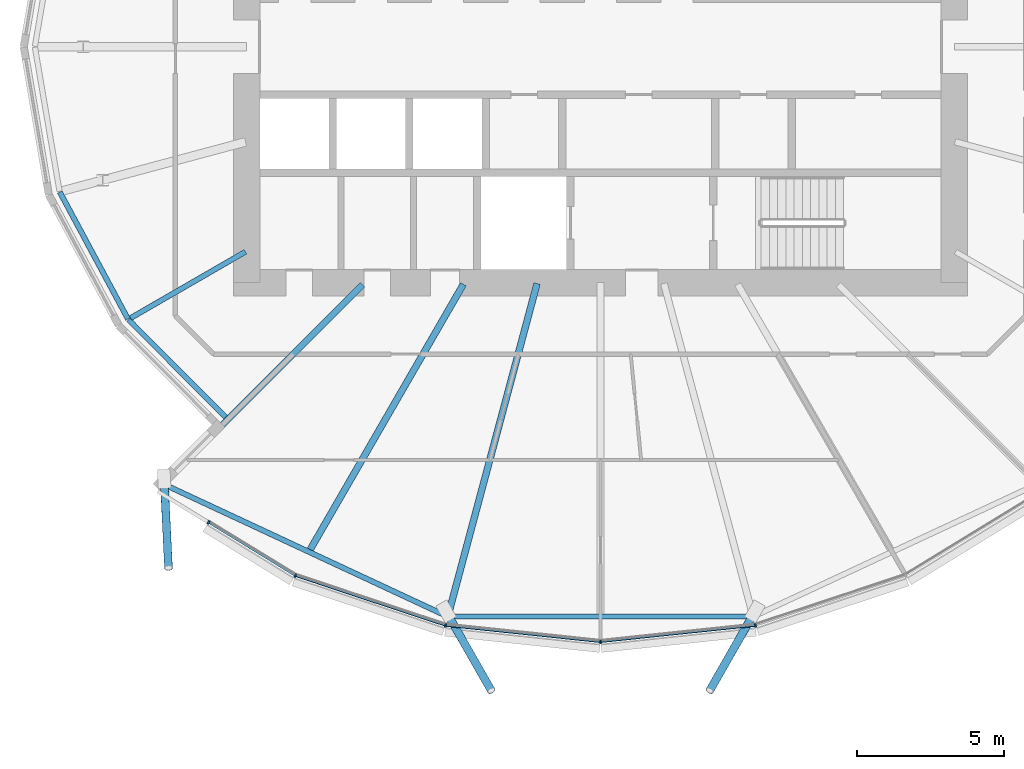
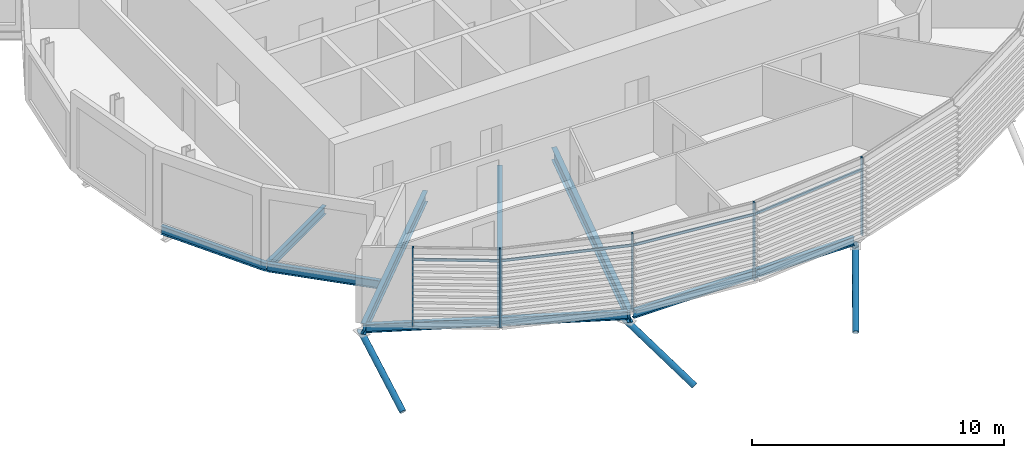
# One storey, part 3 of 38: 12 members, 8 beams, 1 element without a shape of its own.
"""IFC4 building model written with IfcOpenShell, lengths in metres."""

import ifcopenshell
import ifcopenshell.guid

model = None  # the IFC model being written
_history = None  # IfcOwnerHistory: only IFC2X3 demands one
_inside = {}  # id of a spatial element -> (the spatial element, [elements in it])
_under = {}  # id of a project, library or spatial element -> (it, [spatial elements below it])
_declared = {}  # id of a project -> (the project, [libraries it declares])
_typed = {}  # id of a type object -> (the type object, [elements of that type])
_made_of = {}  # id of a material, layer set ... -> (it, [elements and type objects made of it])


def new_model(schema):
    """Start an empty IFC model of exactly this schema.

    Asked for "IFC4X3", IfcOpenShell would pick the latest addendum, in which some entities
    have other attributes; the version numbers below select the first issue.
    IFC2X3 requires an IfcOwnerHistory on every rooted entity: one is made here for all.
    """
    global model, _history
    if schema == "IFC4X3":
        model = ifcopenshell.file(schema_version=(4, 3, 0, 0))
    else:
        model = ifcopenshell.file(schema=schema)
    _inside.clear()
    _under.clear()
    _declared.clear()
    _typed.clear()
    _made_of.clear()
    _history = None
    if model.schema == "IFC2X3":
        org = make("IfcOrganization", Name="unknown")
        user = make(
            "IfcPersonAndOrganization",
            ThePerson=make("IfcPerson", FamilyName="unknown"),
            TheOrganization=org,
        )
        app = make(
            "IfcApplication",
            ApplicationDeveloper=org,
            Version="unknown",
            ApplicationFullName="unknown",
            ApplicationIdentifier="unknown",
        )
        _history = make(
            "IfcOwnerHistory",
            OwningUser=user,
            OwningApplication=app,
            ChangeAction="ADDED",
            CreationDate=0,
        )
    return model


def make(cls, **values):
    """One entity of the class cls with the attributes given. An attribute that is None is left unset."""
    return model.create_entity(
        cls, **{name: value for name, value in values.items() if value is not None}
    )


def rooted(cls, **values):
    """An entity with a GlobalId (a new one), such as an element, a storey or a relation."""
    return make(cls, GlobalId=ifcopenshell.guid.new(), OwnerHistory=_history, **values)


def si_unit(unit_type, name, prefix=None):
    """IfcSIUnit, for example si_unit("LENGTHUNIT", "METRE", prefix="MILLI")."""
    return make("IfcSIUnit", UnitType=unit_type, Prefix=prefix, Name=name)


def assignment(units):
    """IfcUnitAssignment: the units of a project."""
    return None if units is None else make("IfcUnitAssignment", Units=units)


def point(xyz):
    """IfcCartesianPoint."""
    return None if xyz is None else make("IfcCartesianPoint", Coordinates=xyz)


def direction(xyz):
    """IfcDirection."""
    return None if xyz is None else make("IfcDirection", DirectionRatios=xyz)


def frame(location, z_axis=None, x_axis=None):
    """IfcAxis2Placement3D, a coordinate frame: its origin and axes. An axis left out is left unset."""
    return make(
        "IfcAxis2Placement3D",
        Location=point(location),
        Axis=direction(z_axis),
        RefDirection=direction(x_axis),
    )


def frame_2d(location, x_axis=None):
    """IfcAxis2Placement2D, a coordinate frame in the plane: its origin and x axis."""
    return make(
        "IfcAxis2Placement2D", Location=point(location), RefDirection=direction(x_axis)
    )


def origin():
    """The frame at (0, 0, 0) with its axes left unset."""
    return frame((0.0, 0.0, 0.0))


def origin_2d():
    """The frame at (0, 0) in the plane with its x axis left unset."""
    return frame_2d((0.0, 0.0))


def place(relative_to, where):
    """IfcLocalPlacement: puts the frame where relative to a parent placement (None: the world)."""
    return make(
        "IfcLocalPlacement", PlacementRelTo=relative_to, RelativePlacement=where
    )


def context(
    kind, dimensions, precision=None, world=None, true_north=None, identifier=None
):
    """IfcGeometricRepresentationContext, for example the 3D "Model" context."""
    return make(
        "IfcGeometricRepresentationContext",
        ContextIdentifier=identifier,
        ContextType=kind,
        CoordinateSpaceDimension=dimensions,
        Precision=precision,
        WorldCoordinateSystem=world,
        TrueNorth=true_north,
    )


def subcontext(parent, identifier, kind, view, scale=None):
    """IfcGeometricRepresentationSubContext, for example "Body" below "Model"."""
    return make(
        "IfcGeometricRepresentationSubContext",
        ContextIdentifier=identifier,
        ContextType=kind,
        ParentContext=parent,
        TargetScale=scale,
        TargetView=view,
    )


def project(units=None, contexts=None):
    """IfcProject with its units and contexts."""
    return rooted(
        "IfcProject",
        Name="project",
        RepresentationContexts=contexts,
        UnitsInContext=assignment(units),
    )


def spatial(cls, under=None, at=None, **own):
    """A site, building, storey or space (cls), placed at a placement, below another one or the project."""
    s = rooted(cls, ObjectPlacement=at, **own)
    if under is not None:
        _under.setdefault(under.id(), (under, []))[1].append(s)
    return s


def profile(cls, at=None, kind="AREA", **sizes):
    """A parametric profile (cls). Its sizes go by their IFC names, for example OverallWidth=200.0."""
    return make(cls, ProfileType=kind, Position=at, **sizes)


def rectangle(**sizes):
    """IfcRectangleProfileDef."""
    return profile("IfcRectangleProfileDef", **sizes)


def hollow_circle(**sizes):
    """IfcCircleHollowProfileDef."""
    return profile("IfcCircleHollowProfileDef", **sizes)


def i_section(**sizes):
    """IfcIShapeProfileDef."""
    return profile("IfcIShapeProfileDef", **sizes)


def extrude(swept, where, along, depth):
    """IfcExtrudedAreaSolid: the profile swept, set in the frame where, extruded along a direction by depth."""
    return make(
        "IfcExtrudedAreaSolid",
        SweptArea=swept,
        Position=where,
        ExtrudedDirection=direction(along),
        Depth=depth,
    )


def clip(a, b, op="DIFFERENCE"):
    """IfcBooleanClippingResult: the solid a cut by the half space b."""
    return make(
        "IfcBooleanClippingResult", Operator=op, FirstOperand=a, SecondOperand=b
    )


def halfspace(plane, agree):
    """IfcHalfSpaceSolid: all space on one side of the plane z = 0 of the frame plane."""
    return make(
        "IfcHalfSpaceSolid",
        BaseSurface=make("IfcPlane", Position=plane),
        AgreementFlag=agree,
    )


def shape(context_of_items, identifier, shape_type, items):
    """IfcShapeRepresentation: the items that make up one representation, for example the "Body"."""
    return make(
        "IfcShapeRepresentation",
        ContextOfItems=context_of_items,
        RepresentationIdentifier=identifier,
        RepresentationType=shape_type,
        Items=items,
    )


def material(Name=None, Category=None):
    """IfcMaterial."""
    return make("IfcMaterial", Name=Name, Category=Category)


def material_profile(
    of_material, cross_section, Name=None, Category=None, Priority=None
):
    """IfcMaterialProfile: a cross section and its material."""
    return make(
        "IfcMaterialProfile",
        Name=Name,
        Material=of_material,
        Profile=cross_section,
        Priority=Priority,
        Category=Category,
    )


def profile_set(profiles, Name=None, composite=None):
    """IfcMaterialProfileSet."""
    return make(
        "IfcMaterialProfileSet",
        Name=Name,
        MaterialProfiles=profiles,
        CompositeProfile=composite,
    )


def made_of(thing, what):
    """Note that an element or type object is made of a material, layer set ...; save() writes the relation."""
    if what is not None:
        _made_of.setdefault(what.id(), (what, []))[1].append(thing)
    return thing


def type_object(cls, material=None, **own):
    """A type object (cls), such as IfcWallType, which elements share."""
    return made_of(rooted(cls, **own), material)


def element(
    cls,
    number,
    at=None,
    inside=None,
    cuts=None,
    type_object=None,
    material=None,
    context=None,
    identifier="Body",
    shape_type=None,
    held_by="IfcProductDefinitionShape",
    body=None,
    shapes=None,
    **own,
):
    """One element of the class cls, such as IfcWall. Its Tag is "e" and its number.

    at: its placement. inside: the storey or other place that contains it. cuts: it is an
    opening in that element (IfcRelVoidsElement). A single representation is given by context,
    identifier, shape_type and body (its items); several are given by shapes. held_by: the class
    of the entity that holds the representations. save() writes the other relations.
    """
    e = rooted(cls, Tag="e%d" % number, ObjectPlacement=at, **own)
    if body is not None:
        shapes = [shape(context, identifier, shape_type, body)]
    if shapes is not None:
        e.Representation = make(held_by, Representations=shapes)
    if inside is not None:
        _inside.setdefault(inside.id(), (inside, []))[1].append(e)
    if cuts is not None:
        rooted(
            "IfcRelVoidsElement", RelatingBuildingElement=cuts, RelatedOpeningElement=e
        )
    if type_object is not None:
        _typed.setdefault(type_object.id(), (type_object, []))[1].append(e)
    return made_of(e, material)


def aggregate(whole, parts):
    """IfcRelAggregates: a whole, such as a stair, and the parts it consists of."""
    return rooted("IfcRelAggregates", RelatingObject=whole, RelatedObjects=parts)


def save(model, path):
    """Write the relations noted so far, then the file.

    IfcRelAggregates (storeys below a building ...), IfcRelContainedInSpatialStructure (elements
    in a storey), IfcRelDefinesByType, IfcRelAssociatesMaterial and IfcRelDeclares: one each for
    every whole, place, type object, material and project.
    """
    for whole, parts in _under.values():
        aggregate(whole, parts)
    for where, things in _inside.values():
        rooted(
            "IfcRelContainedInSpatialStructure",
            RelatedElements=things,
            RelatingStructure=where,
        )
    for kind, things in _typed.values():
        rooted("IfcRelDefinesByType", RelatedObjects=things, RelatingType=kind)
    for what, things in _made_of.values():
        rooted("IfcRelAssociatesMaterial", RelatedObjects=things, RelatingMaterial=what)
    for by, libraries in _declared.values():
        rooted("IfcRelDeclares", RelatingContext=by, RelatedDefinitions=libraries)
    model.write(path)


model = new_model("IFC4")

# Units and contexts
model_context = context("Model", 3, precision=1e-05, world=origin(), true_north=direction((0.0, 1.0)))
body_context = subcontext(model_context, "Body", "Model", "MODEL_VIEW")
ifc_project = project(units=[si_unit("LENGTHUNIT", "METRE"), si_unit("AREAUNIT", "SQUARE_METRE"), si_unit("VOLUMEUNIT", "CUBIC_METRE"), si_unit("PLANEANGLEUNIT", "RADIAN"), si_unit("MASSUNIT", "GRAM", prefix="KILO")], contexts=[model_context])

# Site, building, storey
site_placement = place(None, origin())
site = spatial("IfcSite", under=ifc_project, at=site_placement, CompositionType="ELEMENT")
building_placement = place(site_placement, origin())
building = spatial("IfcBuilding", under=site, at=building_placement, Name="Rimbun Link Towers", CompositionType="ELEMENT")
storey_placement = place(building_placement, frame((0.0, 0.0, 49.0)))
storey = spatial("IfcBuildingStorey", under=building, at=storey_placement, Name="L11", CompositionType="ELEMENT", Elevation=49.0)

# Curtain wall, members
ifc_material_1 = material(Name="Aluminium 6063-T6 and low-iron glass", Category="aluminium")
curtain_wall_type = type_object("IfcCurtainWallType", Name="CW1 unitised vision wall", PredefinedType="NOTDEFINED", material=ifc_material_1)
curtain_wall_placement = place(storey_placement, origin())
curtain_wall = element("IfcCurtainWall", 1, at=curtain_wall_placement, inside=storey, type_object=curtain_wall_type, Name="CW1 L11 T1", PredefinedType="NOTDEFINED")
ifc_material_2 = material(Name="Aluminium 6063-T6", Category="aluminium")
ifc_material_profile_1 = material_profile(ifc_material_2, rectangle(XDim=0.1201171875, YDim=0.06005859375, at=origin_2d()), Name="MULLION 60X120")
ifc_profile_set_1 = profile_set([ifc_material_profile_1], Name="Aluminium 6063-T6")
member_type_1 = type_object("IfcMemberType", Name="CW1 mullion 60X120", PredefinedType="MULLION", material=ifc_profile_set_1)
member_1_placement = place(storey_placement, frame((-42.103759765625, -17.944091796875, 0.0), z_axis=(0.0, 0.0, 1.0), x_axis=(-0.421700623213, -0.906735123607, 0.0)))
member_1 = element("IfcMember", 2, at=member_1_placement, type_object=member_type_1, Name="CW1 mullion", PredefinedType="MULLION", context=body_context, shape_type="SweptSolid", body=[
    extrude(rectangle(XDim=0.1201171875, YDim=0.06005859375, at=origin_2d()), origin(), (0.0, 0.0, 1.0), 3.800048828125),
])
member_2_placement = place(storey_placement, frame((-45.047607421875, -16.136962890625, 0.0), z_axis=(0.0, 0.0, 1.0), x_axis=(-0.523240552823, -0.852185029135, 0.0)))
member_2 = element("IfcMember", 3, at=member_2_placement, type_object=member_type_1, Name="CW1 mullion", PredefinedType="MULLION", context=body_context, shape_type="SweptSolid", body=[
    extrude(rectangle(XDim=0.1201171875, YDim=0.06005859375, at=origin_2d()), origin(), (0.0, 0.0, 1.0), 3.800048828125),
])
member_3_placement = place(storey_placement, frame((-37.007568359375, -19.6328125, 0.0), z_axis=(0.0, 0.0, 1.0), x_axis=(-0.210867877102, -0.977514571966, 0.0)))
member_3 = element("IfcMember", 4, at=member_3_placement, type_object=member_type_1, Name="CW1 mullion", PredefinedType="MULLION", context=body_context, shape_type="SweptSolid", body=[
    extrude(rectangle(XDim=0.1201171875, YDim=0.06005859375, at=origin_2d()), origin(), (0.0, 0.0, 1.0), 3.800048828125),
])
member_4_placement = place(storey_placement, frame((-31.75, -20.1865234375, 0.0), z_axis=(0.0, 0.0, 1.0), x_axis=(0.0, -1.0, 0.0)))
member_4 = element("IfcMember", 5, at=member_4_placement, type_object=member_type_1, Name="CW1 mullion", PredefinedType="MULLION", context=body_context, shape_type="SweptSolid", body=[
    extrude(rectangle(XDim=0.1201171875, YDim=0.06005859375, at=origin_2d()), origin(), (0.0, 0.0, 1.0), 3.800048828125),
])
member_5_placement = place(storey_placement, frame((-26.492431640625, -19.6328125, 0.0), z_axis=(0.0, 0.0, 1.0), x_axis=(0.210867877102, -0.977514571966, 0.0)))
member_5 = element("IfcMember", 6, at=member_5_placement, type_object=member_type_1, Name="CW1 mullion", PredefinedType="MULLION", context=body_context, shape_type="SweptSolid", body=[
    extrude(rectangle(XDim=0.1201171875, YDim=0.06005859375, at=origin_2d()), origin(), (0.0, 0.0, 1.0), 3.800048828125),
])
ifc_material_3 = material(Name="Aluminium 6063-T6", Category="aluminium")
ifc_material_profile_2 = material_profile(ifc_material_3, rectangle(XDim=0.06005859375, YDim=0.1201171875, at=origin_2d()), Name="TRANSOM 60X120")
ifc_profile_set_2 = profile_set([ifc_material_profile_2], Name="Aluminium 6063-T6")
member_type_2 = type_object("IfcMemberType", Name="CW1 transom 60X120", PredefinedType="USERDEFINED", material=ifc_profile_set_2)
member_6_placement = place(storey_placement, frame((-42.134521484375, -17.92333984375, 3.199951171875), z_axis=(-0.852162767793, 0.523276807424, 0.0), x_axis=(-0.523276807424, -0.852162767793, 0.0)))
member_6 = element("IfcMember", 7, at=member_6_placement, type_object=member_type_2, Name="CW1 transom", ObjectType="TRANSOM", PredefinedType="USERDEFINED", context=body_context, shape_type="SweptSolid", body=[
    extrude(rectangle(XDim=0.06005859375, YDim=0.1201171875, at=origin_2d()), origin(), (0.0, 0.0, 1.0), 3.38720703125),
])
member_7_placement = place(storey_placement, frame((-37.04150390625, -19.619873046875, 3.199951171875), z_axis=(-0.949239655891, 0.314553772324, 0.0), x_axis=(-0.314553772324, -0.949239655891, 0.0)))
member_7 = element("IfcMember", 8, at=member_7_placement, type_object=member_type_2, Name="CW1 transom", ObjectType="TRANSOM", PredefinedType="USERDEFINED", context=body_context, shape_type="SweptSolid", body=[
    extrude(rectangle(XDim=0.06005859375, YDim=0.1201171875, at=origin_2d()), origin(), (0.0, 0.0, 1.0), 5.295654296875),
])
member_8_placement = place(storey_placement, frame((-31.785888671875, -20.18115234375, 3.199951171875), z_axis=(-0.994499036782, 0.104745719915, 0.0), x_axis=(-0.104745719915, -0.994499036782, 0.0)))
member_8 = element("IfcMember", 9, at=member_8_placement, type_object=member_type_2, Name="CW1 transom", ObjectType="TRANSOM", PredefinedType="USERDEFINED", context=body_context, shape_type="SweptSolid", body=[
    extrude(rectangle(XDim=0.06005859375, YDim=0.1201171875, at=origin_2d()), origin(), (0.0, 0.0, 1.0), 5.2138671875),
])
member_9_placement = place(storey_placement, frame((-26.52880859375, -19.635009765625, 3.199951171875), z_axis=(-0.994499036782, -0.104745719915, 0.0), x_axis=(0.104745719915, -0.994499036782, 0.0)))
member_9 = element("IfcMember", 10, at=member_9_placement, type_object=member_type_2, Name="CW1 transom", ObjectType="TRANSOM", PredefinedType="USERDEFINED", context=body_context, shape_type="SweptSolid", body=[
    extrude(rectangle(XDim=0.06005859375, YDim=0.1201171875, at=origin_2d()), origin(), (0.0, 0.0, 1.0), 5.2138671875),
])
aggregate(curtain_wall, [member_1, member_2, member_3, member_4, member_5, member_6, member_7, member_8, member_9])

# Members
ifc_material_4 = material(Name="Steel S355J2H", Category="steel")
ifc_material_profile_3 = material_profile(ifc_material_4, hollow_circle(Radius=0.136474609375, WallThickness=0.012451171875, at=origin_2d()), Name="CHS 273x12.5")
ifc_profile_set_3 = profile_set([ifc_material_profile_3], Name="Steel S355J2H")
member_type_3 = type_object("IfcMemberType", Name="Floor edge link CHS 273x12.5", PredefinedType="BRACE", material=ifc_profile_set_3)
member_10_placement = place(storey_placement, frame((-46.546142578125, -14.796142578125, -0.806396484375), z_axis=(0.040678505823, -0.826966811341, -0.560777274953), x_axis=(0.998792362562, 0.049130606427, 0.0)))
element("IfcMember", 11, at=member_10_placement, inside=storey, type_object=member_type_3, Name="Floor edge link T1 L11 15", PredefinedType="BRACE", context=body_context, shape_type="Clipping", body=[
    clip(extrude(hollow_circle(Radius=0.136474609375, WallThickness=0.012451171875, at=origin_2d()), frame((0.0, 0.0, -0.4208984375)), (0.0, 0.0, 1.0), 3.919921875), halfspace(frame((0.0, 0.0, -0.198486328125), z_axis=(0.0, 0.827966694919, -0.560777274953)), False)),
])
for number, where, z_axis, x_axis, name in (
    (12, (-36.91650390625, -19.281494140625, -0.877197265625), (0.415324590557, -0.727059421065, -0.546708407397), (0.868314095678, 0.496014749021, 0.0), "Floor edge link T1 L11 17"),
    (13, (-26.58349609375, -19.281494140625, -0.877197265625), (-0.415324590557, -0.727059421065, -0.546708407397), (0.868314095678, -0.496014749021, 0.0), "Floor edge link T1 L11 19"),
):
    element("IfcMember", number, at=place(storey_placement, frame(where, z_axis=z_axis, x_axis=x_axis)), inside=storey, type_object=member_type_3, Name=name, PredefinedType="BRACE", context=body_context, shape_type="Clipping", body=[
        clip(extrude(hollow_circle(Radius=0.136474609375, WallThickness=0.012451171875, at=origin_2d()), frame((0.0, 0.0, -0.436279296875)), (0.0, 0.0, 1.0), 3.976318359375), halfspace(frame((0.0, 0.0, -0.2060546875), z_axis=(0.0, 0.837323066254, -0.546708407397)), False)),
    ])

# Beams
ifc_material_5 = material(Name="Steel S355J2", Category="steel")
ifc_material_profile_4 = material_profile(ifc_material_5, i_section(OverallWidth=0.177978515625, OverallDepth=0.406494140625, WebThickness=0.0078125, FlangeThickness=0.0126953125, at=origin_2d()), Name="UB 406x178x60")
ifc_profile_set_4 = profile_set([ifc_material_profile_4], Name="Steel S355J2")
beam_type_1 = type_object("IfcBeamType", Name="UB 406x178x60", PredefinedType="BEAM", material=ifc_profile_set_4)
beam_1_placement = place(storey_placement, frame((-43.79541015625, -6.954345703125, -0.36328125), z_axis=(-0.866013897511, -0.50001992892, 0.0), x_axis=(0.50001992892, -0.866013897511, 0.0)))
element("IfcBeam", 14, at=beam_1_placement, inside=storey, type_object=beam_type_1, Name="Radial beam T1 L11 14", PredefinedType="BEAM", context=body_context, shape_type="SweptSolid", body=[
    extrude(i_section(OverallWidth=0.177978515625, OverallDepth=0.406494140625, WebThickness=0.0078125, FlangeThickness=0.0126953125, at=origin_2d()), origin(), (0.0, 0.0, 1.0), 4.499267578125),
])
beam_2_placement = place(storey_placement, frame((-50.0908203125, -4.929931640625, -0.36328125), z_axis=(0.473227114813, -0.880940462123, 0.0), x_axis=(0.880940462123, 0.473227114813, 0.0)))
element("IfcBeam", 15, at=beam_2_placement, inside=storey, type_object=beam_type_1, Name="Edge beam T1 L11 13 recess", PredefinedType="BEAM", context=body_context, shape_type="SweptSolid", body=[
    extrude(i_section(OverallWidth=0.177978515625, OverallDepth=0.406494140625, WebThickness=0.0078125, FlangeThickness=0.0126953125, at=origin_2d()), origin(), (0.0, 0.0, 1.0), 4.88916015625),
])
beam_3_placement = place(storey_placement, frame((-47.760498046875, -9.25927734375, -0.36328125), z_axis=(0.706321834513, -0.70789085747, 0.0), x_axis=(0.70789085747, 0.706321834513, 0.0)))
element("IfcBeam", 16, at=beam_3_placement, inside=storey, type_object=beam_type_1, Name="Edge beam T1 L11 14 recess", PredefinedType="BEAM", context=body_context, shape_type="SweptSolid", body=[
    extrude(i_section(OverallWidth=0.177978515625, OverallDepth=0.406494140625, WebThickness=0.0078125, FlangeThickness=0.0126953125, at=origin_2d()), origin(), (0.0, 0.0, 1.0), 4.66796875),
])
beam_4_placement = place(storey_placement, frame((-46.4794921875, -14.87890625, -0.36328125), z_axis=(0.906398512067, -0.422423646738, 0.0), x_axis=(0.422423646738, 0.906398512067, 0.0)))
element("IfcBeam", 17, at=beam_4_placement, inside=storey, type_object=beam_type_1, Name="Edge beam T1 L11 15-17", PredefinedType="BEAM", context=body_context, shape_type="SweptSolid", body=[
    extrude(i_section(OverallWidth=0.177978515625, OverallDepth=0.406494140625, WebThickness=0.0078125, FlangeThickness=0.0126953125, at=origin_2d()), origin(), (0.0, 0.0, 1.0), 10.419921875),
])
beam_5_placement = place(storey_placement, frame((-36.810546875, -19.32958984375, -0.36328125), z_axis=(1.0, 0.0, 0.0), x_axis=(0.0, 1.0, 0.0)))
element("IfcBeam", 18, at=beam_5_placement, inside=storey, type_object=beam_type_1, Name="Edge beam T1 L11 17-19", PredefinedType="BEAM", context=body_context, shape_type="SweptSolid", body=[
    extrude(i_section(OverallWidth=0.177978515625, OverallDepth=0.406494140625, WebThickness=0.0078125, FlangeThickness=0.0126953125, at=origin_2d()), origin(), (0.0, 0.0, 1.0), 10.12109375),
])
ifc_material_6 = material(Name="Steel S355J2", Category="steel")
ifc_material_profile_5 = material_profile(ifc_material_6, i_section(OverallWidth=0.209228515625, OverallDepth=0.533203125, WebThickness=0.010009765625, FlangeThickness=0.015625, at=origin_2d()), Name="UB 533x210x92")
ifc_profile_set_5 = profile_set([ifc_material_profile_5], Name="Steel S355J2")
beam_type_2 = type_object("IfcBeamType", Name="UB 533x210x92", PredefinedType="BEAM", material=ifc_profile_set_5)
beam_6_placement = place(storey_placement, frame((-39.82470703125, -8.07470703125, -0.426513671875), z_axis=(-0.707106781187, -0.707106781187, 0.0), x_axis=(0.707106781187, -0.707106781187, 0.0)))
element("IfcBeam", 19, at=beam_6_placement, inside=storey, type_object=beam_type_2, Name="Radial beam T1 L11 15", PredefinedType="BEAM", context=body_context, shape_type="SweptSolid", body=[
    extrude(i_section(OverallWidth=0.209228515625, OverallDepth=0.533203125, WebThickness=0.010009765625, FlangeThickness=0.015625, at=origin_2d()), origin(), (0.0, 0.0, 1.0), 9.55517578125),
])
ifc_material_7 = material(Name="Steel S355J2", Category="steel")
ifc_material_profile_6 = material_profile(ifc_material_7, i_section(OverallWidth=0.2275390625, OverallDepth=0.6025390625, WebThickness=0.010498046875, FlangeThickness=0.014892578125, at=origin_2d()), Name="UB 610x229x101")
ifc_profile_set_6 = profile_set([ifc_material_profile_6], Name="Steel S355J2")
beam_type_3 = type_object("IfcBeamType", Name="UB 610x229x101", PredefinedType="BEAM", material=ifc_profile_set_6)
beam_7_placement = place(storey_placement, frame((-36.402099609375, -8.057861328125, -0.461181640625), z_axis=(-0.499998423118, -0.866026314196, 0.0), x_axis=(0.866026314196, -0.499998423118, 0.0)))
element("IfcBeam", 20, at=beam_7_placement, inside=storey, type_object=beam_type_3, Name="Radial beam T1 L11 16", PredefinedType="BEAM", context=body_context, shape_type="SweptSolid", body=[
    extrude(i_section(OverallWidth=0.2275390625, OverallDepth=0.6025390625, WebThickness=0.010498046875, FlangeThickness=0.014892578125, at=origin_2d()), origin(), (0.0, 0.0, 1.0), 10.38916015625),
])
beam_8_placement = place(storey_placement, frame((-33.901611328125, -8.030517578125, -0.461181640625), z_axis=(-0.258839363348, -0.965920381803, 0.0), x_axis=(0.965920381803, -0.258839363348, 0.0)))
element("IfcBeam", 21, at=beam_8_placement, inside=storey, type_object=beam_type_3, Name="Radial beam T1 L11 17", PredefinedType="BEAM", context=body_context, shape_type="SweptSolid", body=[
    extrude(i_section(OverallWidth=0.2275390625, OverallDepth=0.6025390625, WebThickness=0.010498046875, FlangeThickness=0.014892578125, at=origin_2d()), origin(), (0.0, 0.0, 1.0), 11.69775390625),
])

save(model, "model.ifc")
